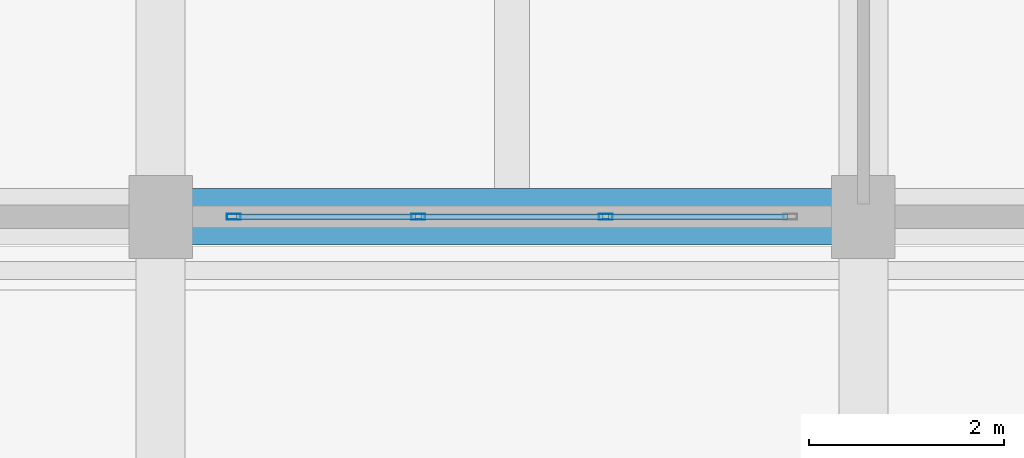
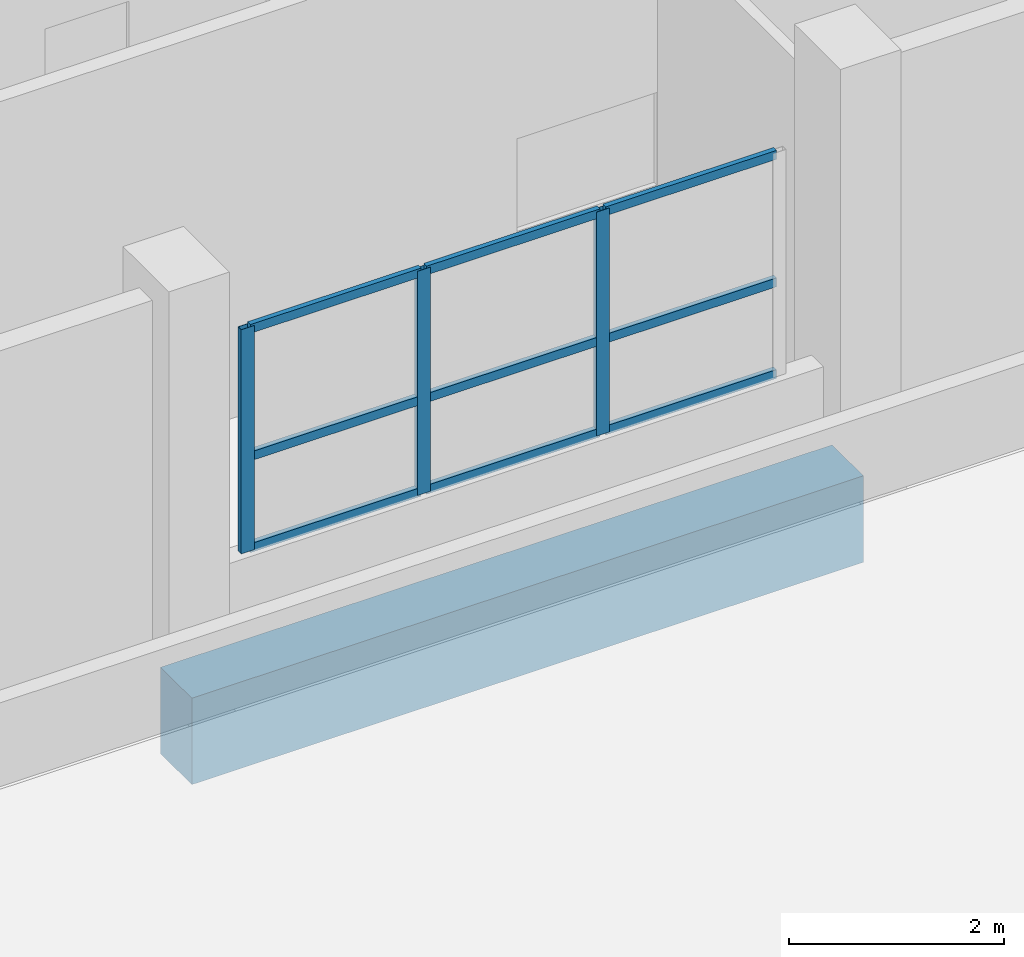
# One storey, part 95 of 140: 12 members, 1 beam, 1 element without a shape of its own.
"""IFC4 building model written with IfcOpenShell, lengths in metres."""

from ifc_helpers import new_model, si_unit, direction, frame, origin, origin_2d, place, context, subcontext, project, spatial, rectangle, hollow_rectangle, extrude, material, layer, layer_set, material_profile, profile_set, type_object, element, aggregate, save


model = new_model("IFC4")

# Units and contexts
model_context = context("Model", 3, precision=1e-05, world=origin(), true_north=direction((0.0, 1.0)))
body_context = subcontext(model_context, "Body", "Model", "MODEL_VIEW")
ifc_project = project(units=[si_unit("LENGTHUNIT", "METRE"), si_unit("AREAUNIT", "SQUARE_METRE"), si_unit("VOLUMEUNIT", "CUBIC_METRE"), si_unit("PLANEANGLEUNIT", "RADIAN"), si_unit("MASSUNIT", "GRAM", prefix="KILO")], contexts=[model_context])

# Site, building, storey
site_placement = place(None, origin())
site = spatial("IfcSite", under=ifc_project, at=site_placement, CompositionType="ELEMENT")
building_placement = place(site_placement, origin())
building = spatial("IfcBuilding", under=site, at=building_placement, Name="Seraya Terrace Polytechnic", CompositionType="ELEMENT")
storey_placement = place(building_placement, frame((0.0, 0.0, 9.60009765625)))
storey = spatial("IfcBuildingStorey", under=building, at=storey_placement, Name="L02", CompositionType="ELEMENT", Elevation=9.60009765625)

# Beam
ifc_material_1 = material(Name="Concrete C40/50", Category="concrete")
ifc_material_profile_1 = material_profile(ifc_material_1, rectangle(XDim=0.580078125, YDim=0.97998046875, at=origin_2d()), Name="RC 580x980")
ifc_profile_set_1 = profile_set([ifc_material_profile_1], Name="Concrete C40/50")
beam_type = type_object("IfcBeamType", Name="BM-02", PredefinedType="BEAM", material=ifc_profile_set_1)
beam_placement = place(storey_placement, frame((129.60009765625, 79.199951171875, -0.489990234375), z_axis=(1.0, 0.0, 0.0), x_axis=(0.0, 1.0, 0.0)))
element("IfcBeam", 1, at=beam_placement, inside=storey, type_object=beam_type, Name="Beam BM-02 L02 X (129.6..136.8, 79.2)", PredefinedType="BEAM", context=body_context, shape_type="SweptSolid", body=[
    extrude(rectangle(XDim=0.580078125, YDim=0.97998046875, at=origin_2d()), origin(), (0.0, 0.0, 1.0), 7.199951171875),
])

# Curtain wall, members
ifc_material_2 = material(Name="Anodised aluminium EN AW-6063 T6", Category="aluminium")
ifc_layer = layer(ifc_material_2, 0.179931640625, Name="CW-21")
ifc_layer_set = layer_set([ifc_layer], Name="Anodised aluminium EN AW-6063 T6")
curtain_wall_type = type_object("IfcCurtainWallType", Name="CW-21", PredefinedType="NOTDEFINED", material=ifc_layer_set)
curtain_wall_placement = place(storey_placement, origin())
curtain_wall = element("IfcCurtainWall", 2, at=curtain_wall_placement, inside=storey, type_object=curtain_wall_type, Name="Unitised curtain wall CW-21 (CW-L02-093)", PredefinedType="NOTDEFINED")
ifc_material_profile_2 = material_profile(ifc_material_2, hollow_rectangle(XDim=0.06005859375, YDim=0.139892578125, WallThickness=0.00341796875, at=origin_2d()), Name="RHS 140x60x3.5")
ifc_profile_set_2 = profile_set([ifc_material_profile_2], Name="Anodised aluminium EN AW-6063 T6")
member_type_1 = type_object("IfcMemberType", Name="CWM-03", PredefinedType="MULLION", material=ifc_profile_set_2)
member_1_placement = place(storey_placement, frame((134.159912109375, 79.199951171875, 1.239990234375), z_axis=(0.0, 0.0, 1.0), x_axis=(0.0, -1.0, 0.0)))
member_1 = element("IfcMember", 3, at=member_1_placement, type_object=member_type_1, Name="CW-21 mullion 2", PredefinedType="MULLION", context=body_context, shape_type="SweptSolid", body=[
    extrude(hollow_rectangle(XDim=0.06005859375, YDim=0.139892578125, WallThickness=0.00341796875, at=origin_2d()), origin(), (0.0, 0.0, 1.0), 2.539794921875),
])
member_2_placement = place(storey_placement, frame((132.239990234375, 79.199951171875, 1.239990234375), z_axis=(0.0, 0.0, 1.0), x_axis=(0.0, -1.0, 0.0)))
member_2 = element("IfcMember", 4, at=member_2_placement, type_object=member_type_1, Name="CW-21 mullion 3", PredefinedType="MULLION", context=body_context, shape_type="SweptSolid", body=[
    extrude(hollow_rectangle(XDim=0.06005859375, YDim=0.139892578125, WallThickness=0.00341796875, at=origin_2d()), origin(), (0.0, 0.0, 1.0), 2.539794921875),
])
member_3_placement = place(storey_placement, frame((130.35009765625, 79.199951171875, 1.239990234375), z_axis=(0.0, 0.0, 1.0), x_axis=(0.0, -1.0, 0.0)))
member_3 = element("IfcMember", 5, at=member_3_placement, type_object=member_type_1, Name="CW-21 mullion 4", PredefinedType="MULLION", context=body_context, shape_type="SweptSolid", body=[
    extrude(hollow_rectangle(XDim=0.06005859375, YDim=0.139892578125, WallThickness=0.00341796875, at=origin_2d()), origin(), (0.0, 0.0, 1.0), 2.539794921875),
])
ifc_material_profile_3 = material_profile(ifc_material_2, hollow_rectangle(XDim=0.054931640625, YDim=0.10009765625, WallThickness=0.0029296875, at=origin_2d()), Name="RHS 100x55x3.0")
ifc_profile_set_3 = profile_set([ifc_material_profile_3], Name="Anodised aluminium EN AW-6063 T6")
member_type_2 = type_object("IfcMemberType", Name="CWT-03", PredefinedType="USERDEFINED", material=ifc_profile_set_3)
member_4_placement = place(storey_placement, frame((136.02001953125, 79.199951171875, 1.267333984375), z_axis=(-1.0, 0.0, 0.0), x_axis=(0.0, -1.0, 0.0)))
member_4 = element("IfcMember", 6, at=member_4_placement, type_object=member_type_2, Name="CW-21 transom 1.1", ObjectType="TRANSOM", PredefinedType="USERDEFINED", context=body_context, shape_type="SweptSolid", body=[
    extrude(hollow_rectangle(XDim=0.054931640625, YDim=0.10009765625, WallThickness=0.0029296875, at=origin_2d()), origin(), (0.0, 0.0, 1.0), 1.830078125),
])
member_5_placement = place(storey_placement, frame((136.02001953125, 79.199951171875, 2.306640625), z_axis=(-1.0, 0.0, 0.0), x_axis=(0.0, -1.0, 0.0)))
member_5 = element("IfcMember", 7, at=member_5_placement, type_object=member_type_2, Name="CW-21 transom 1.2", ObjectType="TRANSOM", PredefinedType="USERDEFINED", context=body_context, shape_type="SweptSolid", body=[
    extrude(hollow_rectangle(XDim=0.054931640625, YDim=0.10009765625, WallThickness=0.0029296875, at=origin_2d()), origin(), (0.0, 0.0, 1.0), 1.830078125),
])
member_6_placement = place(storey_placement, frame((136.02001953125, 79.199951171875, 3.75244140625), z_axis=(-1.0, 0.0, 0.0), x_axis=(0.0, -1.0, 0.0)))
member_6 = element("IfcMember", 8, at=member_6_placement, type_object=member_type_2, Name="CW-21 transom 1.3", ObjectType="TRANSOM", PredefinedType="USERDEFINED", context=body_context, shape_type="SweptSolid", body=[
    extrude(hollow_rectangle(XDim=0.054931640625, YDim=0.10009765625, WallThickness=0.0029296875, at=origin_2d()), origin(), (0.0, 0.0, 1.0), 1.830078125),
])
member_7_placement = place(storey_placement, frame((134.1298828125, 79.199951171875, 1.267333984375), z_axis=(-1.0, 0.0, 0.0), x_axis=(0.0, -1.0, 0.0)))
member_7 = element("IfcMember", 9, at=member_7_placement, type_object=member_type_2, Name="CW-21 transom 2.1", ObjectType="TRANSOM", PredefinedType="USERDEFINED", context=body_context, shape_type="SweptSolid", body=[
    extrude(hollow_rectangle(XDim=0.054931640625, YDim=0.10009765625, WallThickness=0.0029296875, at=origin_2d()), origin(), (0.0, 0.0, 1.0), 1.85986328125),
])
member_8_placement = place(storey_placement, frame((134.1298828125, 79.199951171875, 2.306640625), z_axis=(-1.0, 0.0, 0.0), x_axis=(0.0, -1.0, 0.0)))
member_8 = element("IfcMember", 10, at=member_8_placement, type_object=member_type_2, Name="CW-21 transom 2.2", ObjectType="TRANSOM", PredefinedType="USERDEFINED", context=body_context, shape_type="SweptSolid", body=[
    extrude(hollow_rectangle(XDim=0.054931640625, YDim=0.10009765625, WallThickness=0.0029296875, at=origin_2d()), origin(), (0.0, 0.0, 1.0), 1.85986328125),
])
member_9_placement = place(storey_placement, frame((134.1298828125, 79.199951171875, 3.75244140625), z_axis=(-1.0, 0.0, 0.0), x_axis=(0.0, -1.0, 0.0)))
member_9 = element("IfcMember", 11, at=member_9_placement, type_object=member_type_2, Name="CW-21 transom 2.3", ObjectType="TRANSOM", PredefinedType="USERDEFINED", context=body_context, shape_type="SweptSolid", body=[
    extrude(hollow_rectangle(XDim=0.054931640625, YDim=0.10009765625, WallThickness=0.0029296875, at=origin_2d()), origin(), (0.0, 0.0, 1.0), 1.85986328125),
])
member_10_placement = place(storey_placement, frame((132.2099609375, 79.199951171875, 1.267333984375), z_axis=(-1.0, 0.0, 0.0), x_axis=(0.0, -1.0, 0.0)))
member_10 = element("IfcMember", 12, at=member_10_placement, type_object=member_type_2, Name="CW-21 transom 3.1", ObjectType="TRANSOM", PredefinedType="USERDEFINED", context=body_context, shape_type="SweptSolid", body=[
    extrude(hollow_rectangle(XDim=0.054931640625, YDim=0.10009765625, WallThickness=0.0029296875, at=origin_2d()), origin(), (0.0, 0.0, 1.0), 1.830078125),
])
member_11_placement = place(storey_placement, frame((132.2099609375, 79.199951171875, 2.306640625), z_axis=(-1.0, 0.0, 0.0), x_axis=(0.0, -1.0, 0.0)))
member_11 = element("IfcMember", 13, at=member_11_placement, type_object=member_type_2, Name="CW-21 transom 3.2", ObjectType="TRANSOM", PredefinedType="USERDEFINED", context=body_context, shape_type="SweptSolid", body=[
    extrude(hollow_rectangle(XDim=0.054931640625, YDim=0.10009765625, WallThickness=0.0029296875, at=origin_2d()), origin(), (0.0, 0.0, 1.0), 1.830078125),
])
member_12_placement = place(storey_placement, frame((132.2099609375, 79.199951171875, 3.75244140625), z_axis=(-1.0, 0.0, 0.0), x_axis=(0.0, -1.0, 0.0)))
member_12 = element("IfcMember", 14, at=member_12_placement, type_object=member_type_2, Name="CW-21 transom 3.3", ObjectType="TRANSOM", PredefinedType="USERDEFINED", context=body_context, shape_type="SweptSolid", body=[
    extrude(hollow_rectangle(XDim=0.054931640625, YDim=0.10009765625, WallThickness=0.0029296875, at=origin_2d()), origin(), (0.0, 0.0, 1.0), 1.830078125),
])
aggregate(curtain_wall, [member_1, member_2, member_3, member_4, member_5, member_6, member_7, member_8, member_9, member_10, member_11, member_12])

save(model, "model.ifc")
